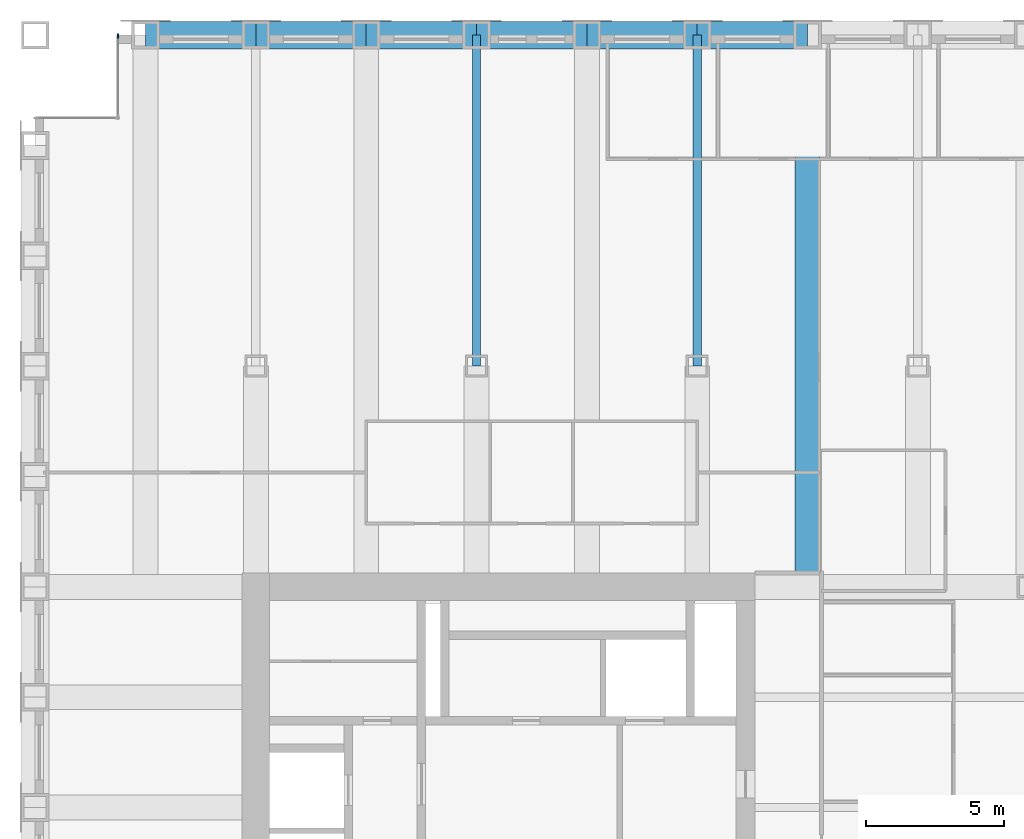
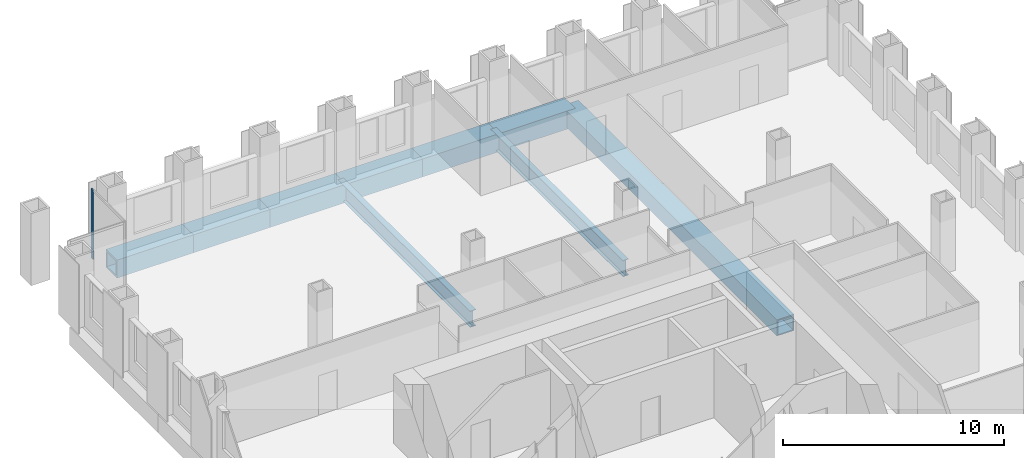
# One storey, part 6 of 13: 9 beams, 1 member, 1 element without a shape of its own.
"""IFC4 building model written with IfcOpenShell, lengths in metres."""

from ifc_helpers import new_model, si_unit, direction, frame, origin, origin_2d, place, context, subcontext, project, spatial, rectangle, hollow_rectangle, i_section, extrude, material, material_profile, profile_set, type_object, element, aggregate, save


model = new_model("IFC4")

# Units and contexts
model_context = context("Model", 3, precision=1e-05, world=origin(), true_north=direction((0.0, 1.0)))
body_context = subcontext(model_context, "Body", "Model", "MODEL_VIEW")
ifc_project = project(units=[si_unit("LENGTHUNIT", "METRE"), si_unit("AREAUNIT", "SQUARE_METRE"), si_unit("VOLUMEUNIT", "CUBIC_METRE"), si_unit("PLANEANGLEUNIT", "RADIAN"), si_unit("MASSUNIT", "GRAM", prefix="KILO")], contexts=[model_context])

# Site, building, storey
site_placement = place(None, origin())
site = spatial("IfcSite", under=ifc_project, at=site_placement, CompositionType="ELEMENT")
building_placement = place(site_placement, origin())
building = spatial("IfcBuilding", under=site, at=building_placement, Name="Rimbunsela Tower", CompositionType="ELEMENT")
storey_placement = place(building_placement, frame((0.0, 0.0, 218.199951171875)))
storey = spatial("IfcBuildingStorey", under=building, at=storey_placement, Name="L52", CompositionType="ELEMENT", Elevation=218.199951171875)

# Beams
ifc_material_1 = material(Name="Steel BJ 55 (fy 410 MPa)", Category="steel")
ifc_material_profile_1 = material_profile(ifc_material_1, hollow_rectangle(XDim=1.0, YDim=1.0, WallThickness=0.10009765625, at=origin_2d()), Name="BOX 1000x1000x100")
ifc_profile_set_1 = profile_set([ifc_material_profile_1], Name="Steel BJ 55 (fy 410 MPa)")
beam_type_1 = type_object("IfcBeamType", Name="Beam BOX 1000x1000x100", PredefinedType="BEAM", material=ifc_profile_set_1)
for number, where, z_axis, x_axis, name in (
    (1, (14.0, 56.0, -0.64990234375), (1.0, 0.0, 0.0), (0.0, 1.0, 0.0), "Beam B3 L52"),
    (2, (18.0, 56.0, -0.64990234375), (1.0, 0.0, 0.0), (0.0, 1.0, 0.0), "Beam B3 L52"),
    (3, (22.0, 56.0, -0.64990234375), (1.0, 0.0, 0.0), (0.0, 1.0, 0.0), "Beam B3 L52"),
    (4, (26.0, 56.0, -0.64990234375), (1.0, 0.0, 0.0), (0.0, 1.0, 0.0), "Beam B3 L52"),
    (5, (30.0, 56.0, -0.64990234375), (1.0, 0.0, 0.0), (0.0, 1.0, 0.0), "Beam B3 L52"),
    (6, (34.0, 56.0, -0.64990234375), (1.0, 0.0, 0.0), (0.0, 1.0, 0.0), "Beam B3 L52"),
):
    element("IfcBeam", number, at=place(storey_placement, frame(where, z_axis=z_axis, x_axis=x_axis)), inside=storey, type_object=beam_type_1, Name=name, PredefinedType="BEAM", context=body_context, shape_type="SweptSolid", body=[
        extrude(hollow_rectangle(XDim=1.0, YDim=1.0, WallThickness=0.10009765625, at=origin_2d()), origin(), (0.0, 0.0, 1.0), 4.0),
    ])
ifc_material_2 = material(Name="Steel BJ 55 (fy 410 MPa)", Category="steel")
ifc_material_profile_2 = material_profile(ifc_material_2, hollow_rectangle(XDim=0.89990234375, YDim=0.89990234375, WallThickness=0.06005859375, at=origin_2d()), Name="BOX 900x900x60")
ifc_profile_set_2 = profile_set([ifc_material_profile_2], Name="Steel BJ 55 (fy 410 MPa)")
beam_type_2 = type_object("IfcBeamType", Name="Beam BOX 900x900x60", PredefinedType="BEAM", material=ifc_profile_set_2)
beam_placement = place(storey_placement, frame((38.0, 36.449951171875, -0.599853515625), z_axis=(0.0, 1.0, 0.0), x_axis=(-1.0, 0.0, 0.0)))
element("IfcBeam", 7, at=beam_placement, inside=storey, type_object=beam_type_2, Name="Beam B1 L52", PredefinedType="BEAM", context=body_context, shape_type="SweptSolid", body=[
    extrude(hollow_rectangle(XDim=0.89990234375, YDim=0.89990234375, WallThickness=0.06005859375, at=origin_2d()), origin(), (0.0, 0.0, 1.0), 19.550048828125),
])
ifc_material_3 = material(Name="Steel BJ 55 (fy 410 MPa)", Category="steel")
ifc_material_profile_3 = material_profile(ifc_material_3, i_section(OverallWidth=0.300048828125, OverallDepth=0.89990234375, WebThickness=0.01611328125, FlangeThickness=0.028076171875, FilletRadius=0.028076171875, at=origin_2d()), Name="H 900x300x16x28")
ifc_profile_set_3 = profile_set([ifc_material_profile_3], Name="Steel BJ 55 (fy 410 MPa)")
beam_type_3 = type_object("IfcBeamType", Name="Beam H 900x300x16x28", PredefinedType="BEAM", material=ifc_profile_set_3)
for number, where, z_axis, x_axis, name in (
    (8, (26.0, 44.0, -0.599853515625), (0.0, 1.0, 0.0), (-1.0, 0.0, 0.0), "Beam B2 L52"),
    (9, (34.0, 44.0, -0.599853515625), (0.0, 1.0, 0.0), (-1.0, 0.0, 0.0), "Beam B2 L52"),
):
    element("IfcBeam", number, at=place(storey_placement, frame(where, z_axis=z_axis, x_axis=x_axis)), inside=storey, type_object=beam_type_3, Name=name, PredefinedType="BEAM", context=body_context, shape_type="SweptSolid", body=[
        extrude(i_section(OverallWidth=0.300048828125, OverallDepth=0.89990234375, WebThickness=0.01611328125, FlangeThickness=0.028076171875, FilletRadius=0.028076171875, at=origin_2d()), origin(), (0.0, 0.0, 1.0), 12.0),
    ])

# Curtain wall, member
ifc_material_4 = material(Name="Aluminium curtain wall", Category="aluminium")
curtain_wall_type = type_object("IfcCurtainWallType", Name="Corner glazing", PredefinedType="USERDEFINED", material=ifc_material_4)
curtain_wall_placement = place(storey_placement, origin())
curtain_wall = element("IfcCurtainWall", 10, at=curtain_wall_placement, inside=storey, type_object=curtain_wall_type, Name="Corner glazing L52", ObjectType="CORNER GLAZING", PredefinedType="USERDEFINED")
ifc_material_5 = material(Name="Aluminium mullion", Category="aluminium")
ifc_material_profile_4 = material_profile(ifc_material_5, rectangle(XDim=0.06005859375, YDim=0.159912109375, at=origin_2d()), Name="Mullion 60x160")
ifc_profile_set_4 = profile_set([ifc_material_profile_4], Name="Aluminium mullion")
member_type = type_object("IfcMemberType", Name="Curtain wall mullion 60x160", PredefinedType="MULLION", material=ifc_profile_set_4)
member_placement = place(storey_placement, frame((13.0, 55.969970703125, 0.0), z_axis=(0.0, 0.0, 1.0), x_axis=(1.0, 0.0, 0.0)))
member = element("IfcMember", 11, at=member_placement, type_object=member_type, Name="CW5 mullion 1", PredefinedType="MULLION", context=body_context, shape_type="SweptSolid", body=[
    extrude(rectangle(XDim=0.06005859375, YDim=0.159912109375, at=origin_2d()), origin(), (0.0, 0.0, 1.0), 3.85009765625),
])
aggregate(curtain_wall, [member])

save(model, "model.ifc")
